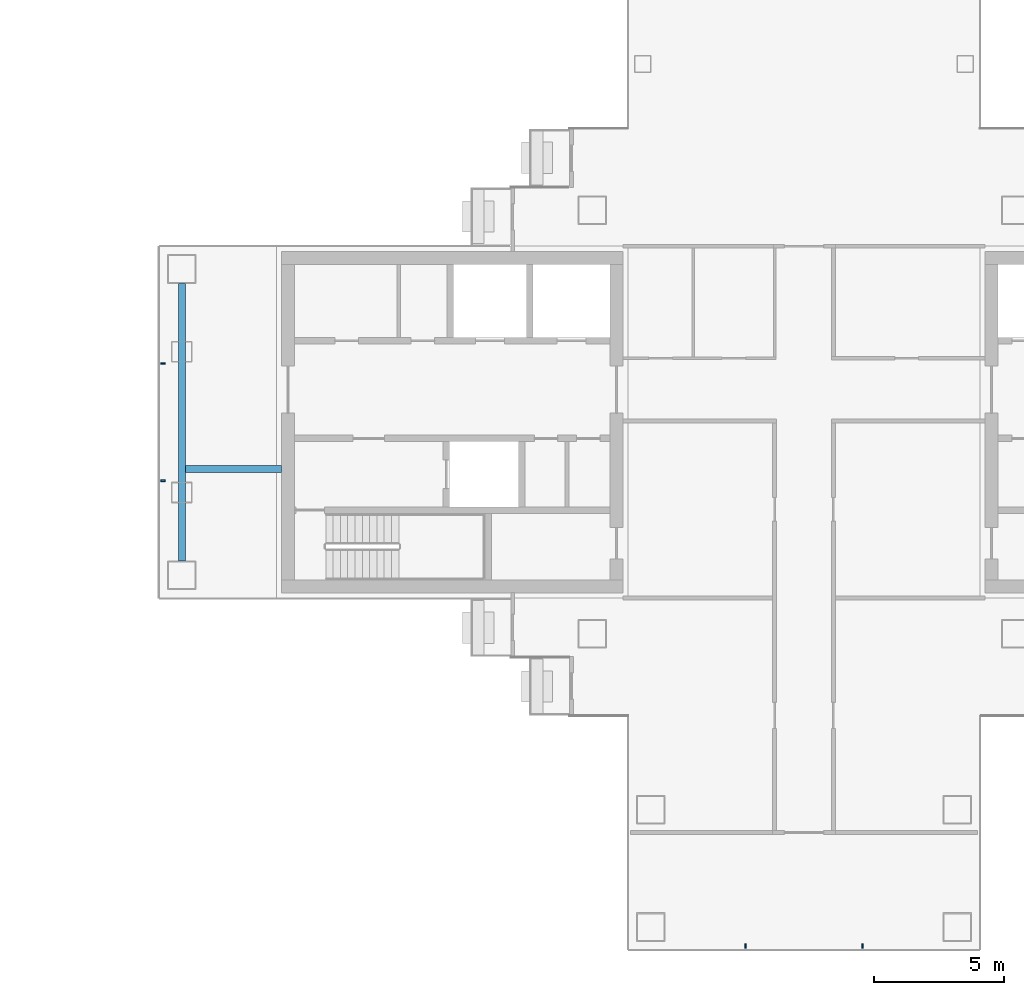
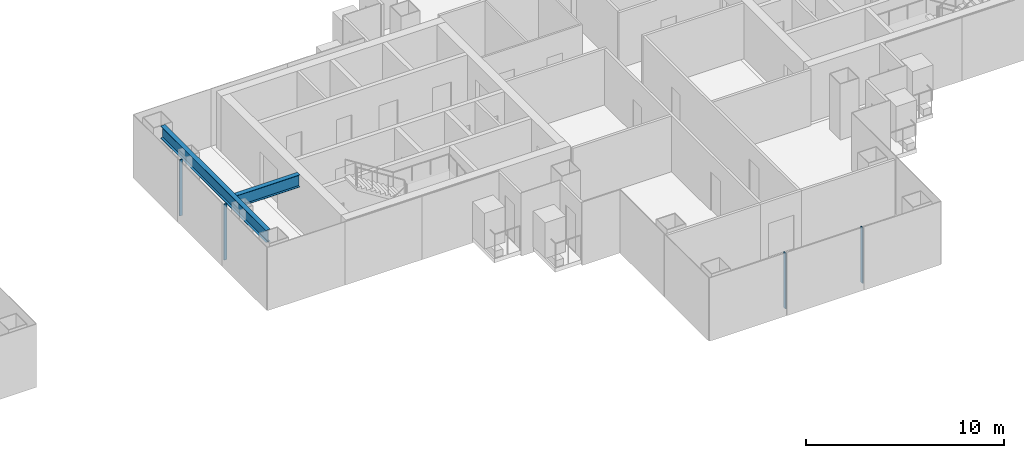
# One storey, part 5 of 17: 4 members, 2 beams, 2 elements without a shape of their own.
"""IFC4 building model written with IfcOpenShell, lengths in metres."""

from ifc_helpers import new_model, si_unit, direction, frame, origin, origin_2d, place, context, subcontext, project, spatial, rectangle, i_section, extrude, material, layer, layer_set, material_profile, profile_set, type_object, element, aggregate, save


model = new_model("IFC4")

# Units and contexts
model_context = context("Model", 3, precision=1e-05, world=origin(), true_north=direction((0.0, 1.0)))
body_context = subcontext(model_context, "Body", "Model", "MODEL_VIEW")
ifc_project = project(units=[si_unit("LENGTHUNIT", "METRE"), si_unit("AREAUNIT", "SQUARE_METRE"), si_unit("VOLUMEUNIT", "CUBIC_METRE"), si_unit("PLANEANGLEUNIT", "RADIAN"), si_unit("MASSUNIT", "GRAM", prefix="KILO")], contexts=[model_context])

# Site, building, storey
site_placement = place(None, origin())
site = spatial("IfcSite", under=ifc_project, at=site_placement, CompositionType="ELEMENT")
building_placement = place(site_placement, origin())
building = spatial("IfcBuilding", under=site, at=building_placement, Name="Shamsa Quay Exchange Towers", CompositionType="ELEMENT")
storey_placement = place(building_placement, frame((0.0, 0.0, 174.0)))
storey = spatial("IfcBuildingStorey", under=building, at=storey_placement, Name="L41", CompositionType="ELEMENT", Elevation=174.0)

# Curtain wall, members
ifc_material_1 = material(Name="Aluminium EN AW-6063 T6, black anodised", Category="aluminium")
ifc_layer = layer(ifc_material_1, 0.280029296875)
ifc_layer_set = layer_set([ifc_layer], Name="CW-1 UNITISED VISION GLASS")
curtain_wall_type = type_object("IfcCurtainWallType", Name="CW-1 UNITISED VISION GLASS", PredefinedType="NOTDEFINED", material=ifc_layer_set)
curtain_wall_1_placement = place(storey_placement, origin())
curtain_wall_1 = element("IfcCurtainWall", 1, at=curtain_wall_1_placement, inside=storey, type_object=curtain_wall_type, Name="CW1 T2-END-V+ L41", PredefinedType="NOTDEFINED")
ifc_material_profile_1 = material_profile(ifc_material_1, rectangle(XDim=0.179931640625, YDim=0.06005859375, at=origin_2d()), Name="MU60x180")
ifc_profile_set_1 = profile_set([ifc_material_profile_1], Name="Aluminium EN AW-6063 T6, black anodised")
member_type = type_object("IfcMemberType", Name="CW1 MULLION 60x180", PredefinedType="MULLION", material=ifc_profile_set_1)
member_1_placement = place(storey_placement, frame((9.14990234375, 2.25, 0.0)))
member_1 = element("IfcMember", 2, at=member_1_placement, type_object=member_type, Name="CW1 mullion", PredefinedType="MULLION", context=body_context, shape_type="SweptSolid", body=[
    extrude(rectangle(XDim=0.179931640625, YDim=0.06005859375, at=origin_2d()), origin(), (0.0, 0.0, 1.0), 3.449951171875),
])
member_2_placement = place(storey_placement, frame((9.14990234375, -2.25, 0.0)))
member_2 = element("IfcMember", 3, at=member_2_placement, type_object=member_type, Name="CW1 mullion", PredefinedType="MULLION", context=body_context, shape_type="SweptSolid", body=[
    extrude(rectangle(XDim=0.179931640625, YDim=0.06005859375, at=origin_2d()), origin(), (0.0, 0.0, 1.0), 3.449951171875),
])
aggregate(curtain_wall_1, [member_1, member_2])

curtain_wall_2_placement = place(storey_placement, origin())
curtain_wall_2 = element("IfcCurtainWall", 4, at=curtain_wall_2_placement, inside=storey, type_object=curtain_wall_type, Name="CW1 T2-END-U- L41", PredefinedType="NOTDEFINED")
member_3_placement = place(storey_placement, frame((31.5, -20.10009765625, 0.0), z_axis=(0.0, 0.0, 1.0), x_axis=(0.0, 1.0, 0.0)))
member_3 = element("IfcMember", 5, at=member_3_placement, type_object=member_type, Name="CW1 mullion", PredefinedType="MULLION", context=body_context, shape_type="SweptSolid", body=[
    extrude(rectangle(XDim=0.179931640625, YDim=0.06005859375, at=origin_2d()), origin(), (0.0, 0.0, 1.0), 3.449951171875),
])
member_4_placement = place(storey_placement, frame((36.0, -20.10009765625, 0.0), z_axis=(0.0, 0.0, 1.0), x_axis=(0.0, 1.0, 0.0)))
member_4 = element("IfcMember", 6, at=member_4_placement, type_object=member_type, Name="CW1 mullion", PredefinedType="MULLION", context=body_context, shape_type="SweptSolid", body=[
    extrude(rectangle(XDim=0.179931640625, YDim=0.06005859375, at=origin_2d()), origin(), (0.0, 0.0, 1.0), 3.449951171875),
])
aggregate(curtain_wall_2, [member_3, member_4])

# Beams
ifc_material_2 = material(Name="Steel S355", Category="steel")
ifc_material_profile_2 = material_profile(ifc_material_2, i_section(OverallWidth=0.26611328125, OverallDepth=0.7578125, WebThickness=0.013916015625, FlangeThickness=0.019287109375, at=origin_2d()), Name="W30x108")
ifc_profile_set_2 = profile_set([ifc_material_profile_2], Name="Steel S355")
beam_type = type_object("IfcBeamType", Name="End-zone beam W30x108", PredefinedType="BEAM", material=ifc_profile_set_2)
beam_1_placement = place(storey_placement, frame((9.875, -5.324951171875, 3.071044921875), z_axis=(0.0, 1.0, 0.0), x_axis=(-1.0, 0.0, 0.0)))
element("IfcBeam", 7, at=beam_1_placement, inside=storey, type_object=beam_type, Name="End beam T2 V+ end zone L41", PredefinedType="BEAM", context=body_context, shape_type="SweptSolid", body=[
    extrude(i_section(OverallWidth=0.26611328125, OverallDepth=0.7578125, WebThickness=0.013916015625, FlangeThickness=0.019287109375, at=origin_2d()), origin(), (0.0, 0.0, 1.0), 10.64990234375),
])
beam_2_placement = place(storey_placement, frame((13.699951171875, -1.800048828125, 3.071044921875), z_axis=(-1.0, 0.0, 0.0), x_axis=(0.0, -1.0, 0.0)))
element("IfcBeam", 8, at=beam_2_placement, inside=storey, type_object=beam_type, Name="Spine beam T2 V+ end zone L41", PredefinedType="BEAM", context=body_context, shape_type="SweptSolid", body=[
    extrude(i_section(OverallWidth=0.26611328125, OverallDepth=0.7578125, WebThickness=0.013916015625, FlangeThickness=0.019287109375, at=origin_2d()), origin(), (0.0, 0.0, 1.0), 3.69189453125),
])

save(model, "model.ifc")
